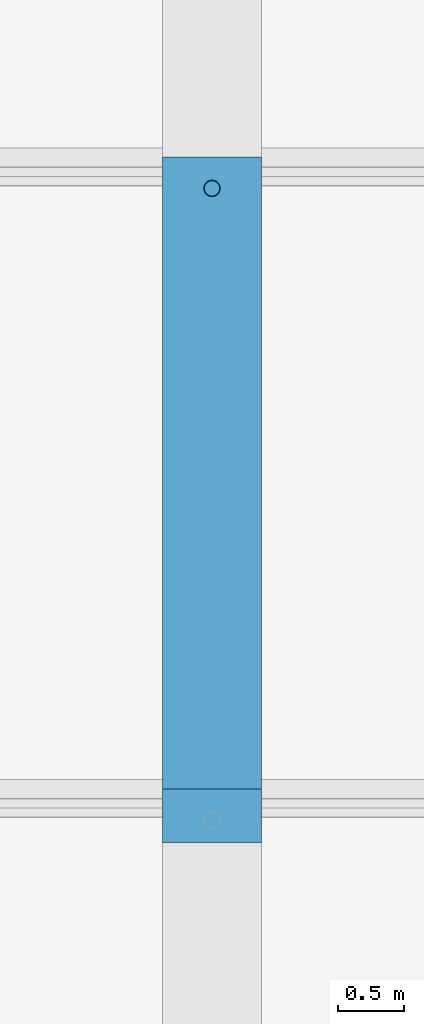
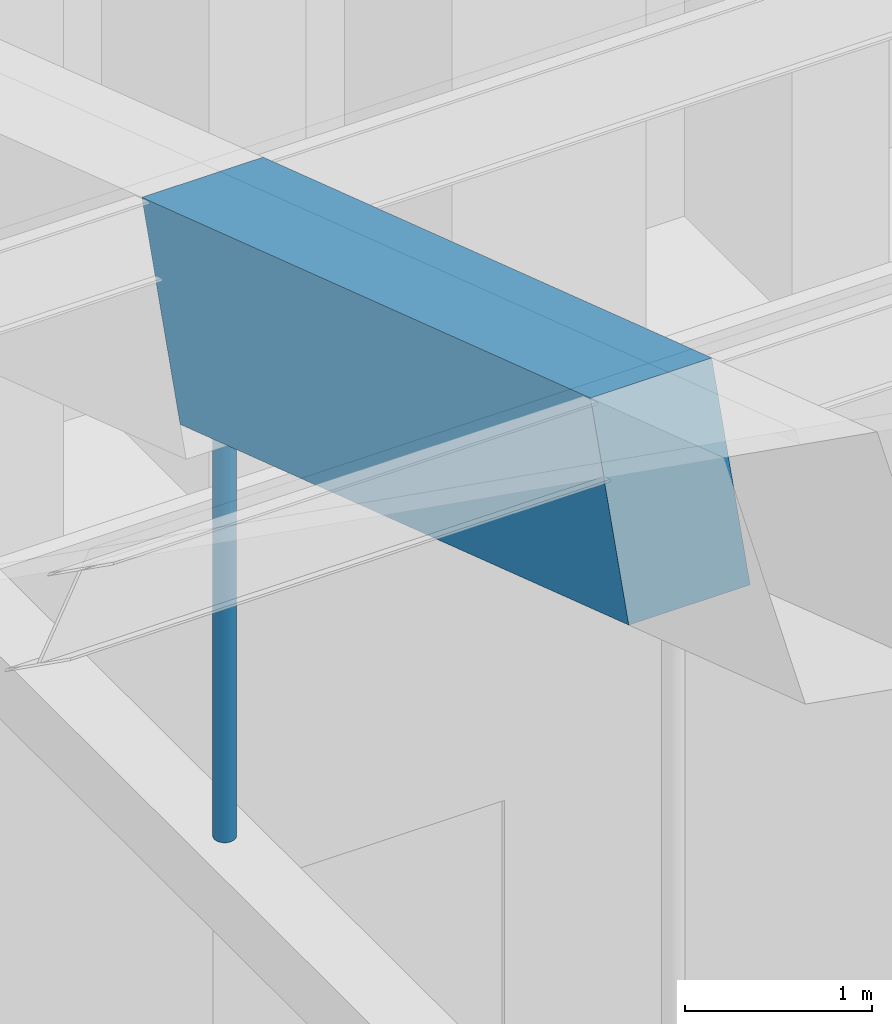
# One storey, part 81 of 149: 1 beam, 1 member.
"""IFC4 building model written with IfcOpenShell, lengths in metres."""

from ifc_helpers import new_model, si_unit, direction, frame, origin, origin_2d, place, context, subcontext, project, spatial, rectangle, hollow_circle, extrude, material, material_profile, profile_set, type_object, element, save


model = new_model("IFC4")

# Units and contexts
model_context = context("Model", 3, precision=1e-05, world=origin(), true_north=direction((0.0, 1.0)))
body_context = subcontext(model_context, "Body", "Model", "MODEL_VIEW")
ifc_project = project(units=[si_unit("LENGTHUNIT", "METRE"), si_unit("AREAUNIT", "SQUARE_METRE"), si_unit("VOLUMEUNIT", "CUBIC_METRE"), si_unit("PLANEANGLEUNIT", "RADIAN"), si_unit("MASSUNIT", "GRAM", prefix="KILO")], contexts=[model_context])

# Site, building, storey
site_placement = place(None, origin())
site = spatial("IfcSite", under=ifc_project, at=site_placement, CompositionType="ELEMENT")
building_placement = place(site_placement, origin())
building = spatial("IfcBuilding", under=site, at=building_placement, Name="Alderwick Market Hall", CompositionType="ELEMENT")
storey_placement = place(building_placement, frame((0.0, 0.0, 9.60009765625)))
storey = spatial("IfcBuildingStorey", under=building, at=storey_placement, Name="L01", CompositionType="ELEMENT", Elevation=9.60009765625)

# Beam
ifc_material_1 = material(Name="Concrete 5000 psi (f'c 35 MPa)", Category="concrete")
ifc_material_profile_1 = material_profile(ifc_material_1, rectangle(XDim=0.75, YDim=1.300048828125, at=origin_2d()), Name="RC 750x1300")
ifc_profile_set_1 = profile_set([ifc_material_profile_1], Name="Concrete 5000 psi (f'c 35 MPa)")
beam_type = type_object("IfcBeamType", Name="R Arch Rib Haunch 750x1300", PredefinedType="BEAM", material=ifc_profile_set_1)
beam_placement = place(storey_placement, frame((122.39990234375, 93.631591796875, 11.494873046875), z_axis=(0.0, 0.948678472761, -0.316242241517), x_axis=(-1.0, 0.0, 0.0)))
element("IfcBeam", 1, at=beam_placement, inside=storey, type_object=beam_type, Name="Arch rib 6 chord 10", PredefinedType="BEAM", context=body_context, shape_type="SweptSolid", body=[
    extrude(rectangle(XDim=0.75, YDim=1.300048828125, at=origin_2d()), origin(), (0.0, 0.0, 1.0), 5.059814453125),
])

# Member
ifc_material_2 = material(Name="Steel ASTM A500 Grade C", Category="steel")
ifc_material_profile_2 = material_profile(ifc_material_2, hollow_circle(Radius=0.0634765625, WallThickness=0.005859375, at=origin_2d()), Name="HSS5.000x0.250")
ifc_profile_set_2 = profile_set([ifc_material_profile_2], Name="Steel ASTM A500 Grade C")
member_type = type_object("IfcMemberType", Name="R Hanger HSS5.000x0.250", PredefinedType="POST", material=ifc_profile_set_2)
member_placement = place(storey_placement, frame((122.39990234375, 98.39990234375, 6.35302734375), z_axis=(0.0, 0.0, 1.0), x_axis=(1.0, 0.0, 0.0)))
element("IfcMember", 2, at=member_placement, inside=storey, type_object=member_type, Name="Arch hanger 6.10", PredefinedType="POST", context=body_context, shape_type="SweptSolid", body=[
    extrude(hollow_circle(Radius=0.0634765625, WallThickness=0.005859375, at=origin_2d()), origin(), (0.0, 0.0, 1.0), 2.63525390625),
])

save(model, "model.ifc")
